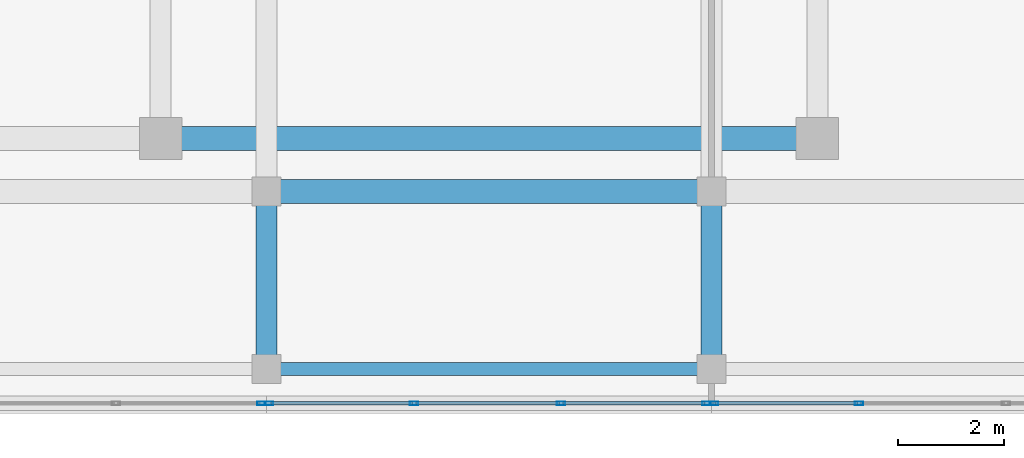
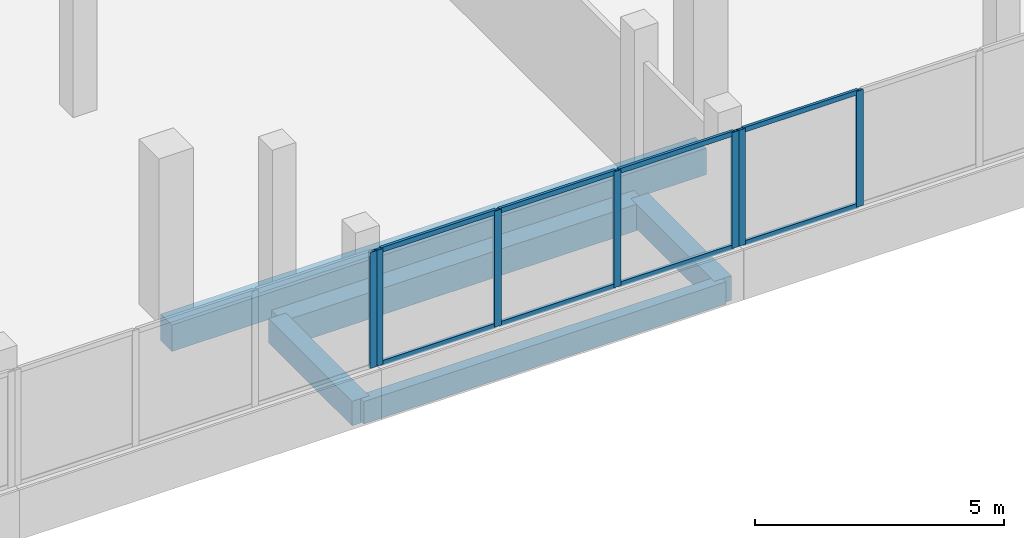
# One storey, part 16 of 66: 15 members, 5 beams, 3 elements without a shape of their own.
"""IFC4 building model written with IfcOpenShell, lengths in metres."""

from ifc_helpers import new_model, si_unit, direction, frame, origin, origin_2d, place, context, subcontext, project, spatial, rectangle, hollow_rectangle, extrude, material, material_profile, profile_set, type_object, element, aggregate, save


model = new_model("IFC4")

# Units and contexts
model_context = context("Model", 3, precision=1e-05, world=origin(), true_north=direction((0.0, 1.0)))
body_context = subcontext(model_context, "Body", "Model", "MODEL_VIEW")
ifc_project = project(units=[si_unit("LENGTHUNIT", "METRE"), si_unit("AREAUNIT", "SQUARE_METRE"), si_unit("VOLUMEUNIT", "CUBIC_METRE"), si_unit("PLANEANGLEUNIT", "RADIAN"), si_unit("MASSUNIT", "GRAM", prefix="KILO")], contexts=[model_context])

# Site, building, storey
site_placement = place(None, origin())
site = spatial("IfcSite", under=ifc_project, at=site_placement, CompositionType="ELEMENT")
building_placement = place(site_placement, origin())
building = spatial("IfcBuilding", under=site, at=building_placement, Name="Selatvlak General Hospital", CompositionType="ELEMENT")
storey_placement = place(building_placement, frame((0.0, 0.0, 31.35009765625)))
storey = spatial("IfcBuildingStorey", under=building, at=storey_placement, Name="L07", CompositionType="ELEMENT", Elevation=31.35009765625)

# Beams
ifc_material_1 = material(Name="Concrete C40/50", Category="concrete")
ifc_material_profile_1 = material_profile(ifc_material_1, rectangle(XDim=0.449951171875, YDim=0.64990234375, at=origin_2d()), Name="RC-BM 450x650")
ifc_profile_set_1 = profile_set([ifc_material_profile_1], Name="Concrete C40/50")
beam_type_1 = type_object("IfcBeamType", Name="BM-G04", PredefinedType="BEAM", material=ifc_profile_set_1)
beam_1_placement = place(storey_placement, frame((73.199951171875, 92.0, -0.59521484375), z_axis=(1.0, 0.0, 0.0), x_axis=(0.0, 1.0, 0.0)))
element("IfcBeam", 1, at=beam_1_placement, inside=storey, type_object=beam_type_1, Name="Beam BMR-L07-2387", PredefinedType="BEAM", context=body_context, shape_type="SweptSolid", body=[
    extrude(rectangle(XDim=0.449951171875, YDim=0.64990234375, at=origin_2d()), origin(), (0.0, 0.0, 1.0), 8.400146484375),
])
beam_2_placement = place(storey_placement, frame((71.199951171875, 93.0, -0.59521484375), z_axis=(1.0, 0.0, 0.0), x_axis=(0.0, 1.0, 0.0)))
element("IfcBeam", 2, at=beam_2_placement, inside=storey, type_object=beam_type_1, Name="Beam BMR-L07-2402", PredefinedType="BEAM", context=body_context, shape_type="SweptSolid", body=[
    extrude(rectangle(XDim=0.449951171875, YDim=0.64990234375, at=origin_2d()), origin(), (0.0, 0.0, 1.0), 12.400146484375),
])
ifc_material_profile_2 = material_profile(ifc_material_1, rectangle(XDim=0.39990234375, YDim=0.60009765625, at=origin_2d()), Name="RC-BM 400x600")
ifc_profile_set_2 = profile_set([ifc_material_profile_2], Name="Concrete C40/50")
beam_type_2 = type_object("IfcBeamType", Name="BM-G05", PredefinedType="BEAM", material=ifc_profile_set_2)
for number, where, z_axis, x_axis, name in (
    (3, (73.199951171875, 88.64990234375, -0.570068359375), (0.0, 1.0, 0.0), (-1.0, 0.0, 0.0), "Beam BMR-L07-2486"),
    (4, (81.60009765625, 88.64990234375, -0.570068359375), (0.0, 1.0, 0.0), (-1.0, 0.0, 0.0), "Beam BMR-L07-2491"),
):
    element("IfcBeam", number, at=place(storey_placement, frame(where, z_axis=z_axis, x_axis=x_axis)), inside=storey, type_object=beam_type_2, Name=name, PredefinedType="BEAM", context=body_context, shape_type="SweptSolid", body=[
        extrude(rectangle(XDim=0.39990234375, YDim=0.60009765625, at=origin_2d()), origin(), (0.0, 0.0, 1.0), 3.35009765625),
    ])
ifc_material_profile_3 = material_profile(ifc_material_1, rectangle(XDim=0.25, YDim=0.550048828125, at=origin_2d()), Name="RC-SP 250x550")
ifc_profile_set_3 = profile_set([ifc_material_profile_3], Name="Concrete C40/50")
beam_type_3 = type_object("IfcBeamType", Name="BM-SP2", PredefinedType="SPANDREL", material=ifc_profile_set_3)
beam_3_placement = place(storey_placement, frame((73.199951171875, 88.64990234375, -0.545166015625), z_axis=(1.0, 0.0, 0.0), x_axis=(0.0, 1.0, 0.0)))
element("IfcBeam", 5, at=beam_3_placement, inside=storey, type_object=beam_type_3, Name="Beam BMR-L07-2368", PredefinedType="SPANDREL", context=body_context, shape_type="SweptSolid", body=[
    extrude(rectangle(XDim=0.25, YDim=0.550048828125, at=origin_2d()), origin(), (0.0, 0.0, 1.0), 8.400146484375),
])

# Curtain wall, members
ifc_material_2 = material(Name="Solar-control Low-E double glazing", Category="glass")
curtain_wall_type_1 = type_object("IfcCurtainWallType", Name="CW-CW-02", PredefinedType="USERDEFINED", material=ifc_material_2)
curtain_wall_1_placement = place(storey_placement, origin())
curtain_wall_1 = element("IfcCurtainWall", 6, at=curtain_wall_1_placement, inside=storey, type_object=curtain_wall_type_1, Name="Glazed facade curtain wall CW-L07-0672", ObjectType="UNITISED CURTAIN WALL", PredefinedType="USERDEFINED")
ifc_material_3 = material(Name="Dark anodised aluminium mullion", Category="aluminium")
ifc_material_profile_4 = material_profile(ifc_material_3, hollow_rectangle(XDim=0.06494140625, YDim=0.159912109375, WallThickness=0.00390625, at=origin_2d()), Name="AL-MUL 65x160x4")
ifc_profile_set_4 = profile_set([ifc_material_profile_4], Name="Dark anodised aluminium mullion")
member_type_1 = type_object("IfcMemberType", Name="CWM-01", PredefinedType="MULLION", material=ifc_profile_set_4)
member_1_placement = place(storey_placement, frame((84.388427734375, 88.0, 0.93994140625), z_axis=(0.0, 0.0, 1.0), x_axis=(0.0, -1.0, 0.0)))
member_1 = element("IfcMember", 7, at=member_1_placement, type_object=member_type_1, Name="CW-02 mullion 3", PredefinedType="MULLION", context=body_context, shape_type="SweptSolid", body=[
    extrude(hollow_rectangle(XDim=0.06494140625, YDim=0.159912109375, WallThickness=0.00390625, at=origin_2d()), origin(), (0.0, 0.0, 1.0), 2.844970703125),
])
member_2_placement = place(storey_placement, frame((81.6474609375, 88.0, 0.93994140625), z_axis=(0.0, 0.0, 1.0), x_axis=(0.0, -1.0, 0.0)))
member_2 = element("IfcMember", 8, at=member_2_placement, type_object=member_type_1, Name="CW-02 mullion 4", PredefinedType="MULLION", context=body_context, shape_type="SweptSolid", body=[
    extrude(hollow_rectangle(XDim=0.06494140625, YDim=0.159912109375, WallThickness=0.00390625, at=origin_2d()), origin(), (0.0, 0.0, 1.0), 2.844970703125),
])

curtain_wall_type_2 = type_object("IfcCurtainWallType", Name="CW-CW-01", PredefinedType="USERDEFINED", material=ifc_material_2)
curtain_wall_2_placement = place(storey_placement, origin())
curtain_wall_2 = element("IfcCurtainWall", 9, at=curtain_wall_2_placement, inside=storey, type_object=curtain_wall_type_2, Name="Glazed facade curtain wall CW-L07-0673", ObjectType="UNITISED CURTAIN WALL", PredefinedType="USERDEFINED")
member_3_placement = place(storey_placement, frame((81.50244140625, 88.0, 0.93994140625), z_axis=(0.0, 0.0, 1.0), x_axis=(0.0, -1.0, 0.0)))
member_3 = element("IfcMember", 10, at=member_3_placement, type_object=member_type_1, Name="CW-01 mullion 1", PredefinedType="MULLION", context=body_context, shape_type="SweptSolid", body=[
    extrude(hollow_rectangle(XDim=0.06494140625, YDim=0.159912109375, WallThickness=0.00390625, at=origin_2d()), origin(), (0.0, 0.0, 1.0), 2.844970703125),
])
member_4_placement = place(storey_placement, frame((78.76171875, 88.0, 0.93994140625), z_axis=(0.0, 0.0, 1.0), x_axis=(0.0, -1.0, 0.0)))
member_4 = element("IfcMember", 11, at=member_4_placement, type_object=member_type_1, Name="CW-01 mullion 2", PredefinedType="MULLION", context=body_context, shape_type="SweptSolid", body=[
    extrude(hollow_rectangle(XDim=0.06494140625, YDim=0.159912109375, WallThickness=0.00390625, at=origin_2d()), origin(), (0.0, 0.0, 1.0), 2.844970703125),
])
member_5_placement = place(storey_placement, frame((75.98828125, 88.0, 0.93994140625), z_axis=(0.0, 0.0, 1.0), x_axis=(0.0, -1.0, 0.0)))
member_5 = element("IfcMember", 12, at=member_5_placement, type_object=member_type_1, Name="CW-01 mullion 3", PredefinedType="MULLION", context=body_context, shape_type="SweptSolid", body=[
    extrude(hollow_rectangle(XDim=0.06494140625, YDim=0.159912109375, WallThickness=0.00390625, at=origin_2d()), origin(), (0.0, 0.0, 1.0), 2.844970703125),
])
member_6_placement = place(storey_placement, frame((73.24755859375, 88.0, 0.93994140625), z_axis=(0.0, 0.0, 1.0), x_axis=(0.0, -1.0, 0.0)))
member_6 = element("IfcMember", 13, at=member_6_placement, type_object=member_type_1, Name="CW-01 mullion 4", PredefinedType="MULLION", context=body_context, shape_type="SweptSolid", body=[
    extrude(hollow_rectangle(XDim=0.06494140625, YDim=0.159912109375, WallThickness=0.00390625, at=origin_2d()), origin(), (0.0, 0.0, 1.0), 2.844970703125),
])

# Curtain wall, member
curtain_wall_3_placement = place(storey_placement, origin())
curtain_wall_3 = element("IfcCurtainWall", 14, at=curtain_wall_3_placement, inside=storey, type_object=curtain_wall_type_1, Name="Glazed facade curtain wall CW-L07-0674", ObjectType="UNITISED CURTAIN WALL", PredefinedType="USERDEFINED")
member_7_placement = place(storey_placement, frame((73.1025390625, 88.0, 0.93994140625), z_axis=(0.0, 0.0, 1.0), x_axis=(0.0, -1.0, 0.0)))
member_7 = element("IfcMember", 15, at=member_7_placement, type_object=member_type_1, Name="CW-02 mullion 1", PredefinedType="MULLION", context=body_context, shape_type="SweptSolid", body=[
    extrude(hollow_rectangle(XDim=0.06494140625, YDim=0.159912109375, WallThickness=0.00390625, at=origin_2d()), origin(), (0.0, 0.0, 1.0), 2.844970703125),
])
aggregate(curtain_wall_3, [member_7])

# Member
ifc_material_profile_5 = material_profile(ifc_material_3, hollow_rectangle(XDim=0.06494140625, YDim=0.1201171875, WallThickness=0.00390625, at=origin_2d()), Name="AL-TRN 65x120x4")
ifc_profile_set_5 = profile_set([ifc_material_profile_5], Name="Dark anodised aluminium mullion")
member_type_2 = type_object("IfcMemberType", Name="CWT-01", PredefinedType="USERDEFINED", material=ifc_profile_set_5)
member_8_placement = place(storey_placement, frame((84.355712890625, 88.0, 0.972412109375), z_axis=(-1.0, 0.0, 0.0), x_axis=(0.0, -1.0, 0.0)))
member_8 = element("IfcMember", 16, at=member_8_placement, type_object=member_type_2, Name="CW-02 transom 3.1", ObjectType="TRANSOM", PredefinedType="USERDEFINED", context=body_context, shape_type="SweptSolid", body=[
    extrude(hollow_rectangle(XDim=0.06494140625, YDim=0.1201171875, WallThickness=0.00390625, at=origin_2d()), origin(), (0.0, 0.0, 1.0), 2.67578125),
])

member_9_placement = place(storey_placement, frame((84.355712890625, 88.0, 3.75244140625), z_axis=(-1.0, 0.0, 0.0), x_axis=(0.0, -1.0, 0.0)))
member_9 = element("IfcMember", 17, at=member_9_placement, type_object=member_type_2, Name="CW-02 transom 3.2", ObjectType="TRANSOM", PredefinedType="USERDEFINED", context=body_context, shape_type="SweptSolid", body=[
    extrude(hollow_rectangle(XDim=0.06494140625, YDim=0.1201171875, WallThickness=0.00390625, at=origin_2d()), origin(), (0.0, 0.0, 1.0), 2.67578125),
])

aggregate(curtain_wall_1, [member_1, member_2, member_8, member_9])

member_10_placement = place(storey_placement, frame((81.469970703125, 88.0, 0.972412109375), z_axis=(-1.0, 0.0, 0.0), x_axis=(0.0, -1.0, 0.0)))
member_10 = element("IfcMember", 18, at=member_10_placement, type_object=member_type_2, Name="CW-01 transom 1.1", ObjectType="TRANSOM", PredefinedType="USERDEFINED", context=body_context, shape_type="SweptSolid", body=[
    extrude(hollow_rectangle(XDim=0.06494140625, YDim=0.1201171875, WallThickness=0.00390625, at=origin_2d()), origin(), (0.0, 0.0, 1.0), 2.67578125),
])

member_11_placement = place(storey_placement, frame((81.469970703125, 88.0, 3.75244140625), z_axis=(-1.0, 0.0, 0.0), x_axis=(0.0, -1.0, 0.0)))
member_11 = element("IfcMember", 19, at=member_11_placement, type_object=member_type_2, Name="CW-01 transom 1.2", ObjectType="TRANSOM", PredefinedType="USERDEFINED", context=body_context, shape_type="SweptSolid", body=[
    extrude(hollow_rectangle(XDim=0.06494140625, YDim=0.1201171875, WallThickness=0.00390625, at=origin_2d()), origin(), (0.0, 0.0, 1.0), 2.67578125),
])

member_12_placement = place(storey_placement, frame((78.729248046875, 88.0, 0.972412109375), z_axis=(-1.0, 0.0, 0.0), x_axis=(0.0, -1.0, 0.0)))
member_12 = element("IfcMember", 20, at=member_12_placement, type_object=member_type_2, Name="CW-01 transom 2.1", ObjectType="TRANSOM", PredefinedType="USERDEFINED", context=body_context, shape_type="SweptSolid", body=[
    extrude(hollow_rectangle(XDim=0.06494140625, YDim=0.1201171875, WallThickness=0.00390625, at=origin_2d()), origin(), (0.0, 0.0, 1.0), 2.70849609375),
])

member_13_placement = place(storey_placement, frame((78.729248046875, 88.0, 3.75244140625), z_axis=(-1.0, 0.0, 0.0), x_axis=(0.0, -1.0, 0.0)))
member_13 = element("IfcMember", 21, at=member_13_placement, type_object=member_type_2, Name="CW-01 transom 2.2", ObjectType="TRANSOM", PredefinedType="USERDEFINED", context=body_context, shape_type="SweptSolid", body=[
    extrude(hollow_rectangle(XDim=0.06494140625, YDim=0.1201171875, WallThickness=0.00390625, at=origin_2d()), origin(), (0.0, 0.0, 1.0), 2.70849609375),
])

member_14_placement = place(storey_placement, frame((75.955810546875, 88.0, 0.972412109375), z_axis=(-1.0, 0.0, 0.0), x_axis=(0.0, -1.0, 0.0)))
member_14 = element("IfcMember", 22, at=member_14_placement, type_object=member_type_2, Name="CW-01 transom 3.1", ObjectType="TRANSOM", PredefinedType="USERDEFINED", context=body_context, shape_type="SweptSolid", body=[
    extrude(hollow_rectangle(XDim=0.06494140625, YDim=0.1201171875, WallThickness=0.00390625, at=origin_2d()), origin(), (0.0, 0.0, 1.0), 2.67578125),
])

member_15_placement = place(storey_placement, frame((75.955810546875, 88.0, 3.75244140625), z_axis=(-1.0, 0.0, 0.0), x_axis=(0.0, -1.0, 0.0)))
member_15 = element("IfcMember", 23, at=member_15_placement, type_object=member_type_2, Name="CW-01 transom 3.2", ObjectType="TRANSOM", PredefinedType="USERDEFINED", context=body_context, shape_type="SweptSolid", body=[
    extrude(hollow_rectangle(XDim=0.06494140625, YDim=0.1201171875, WallThickness=0.00390625, at=origin_2d()), origin(), (0.0, 0.0, 1.0), 2.67578125),
])

aggregate(curtain_wall_2, [member_3, member_4, member_5, member_6, member_10, member_11, member_12, member_13, member_14, member_15])

save(model, "model.ifc")
